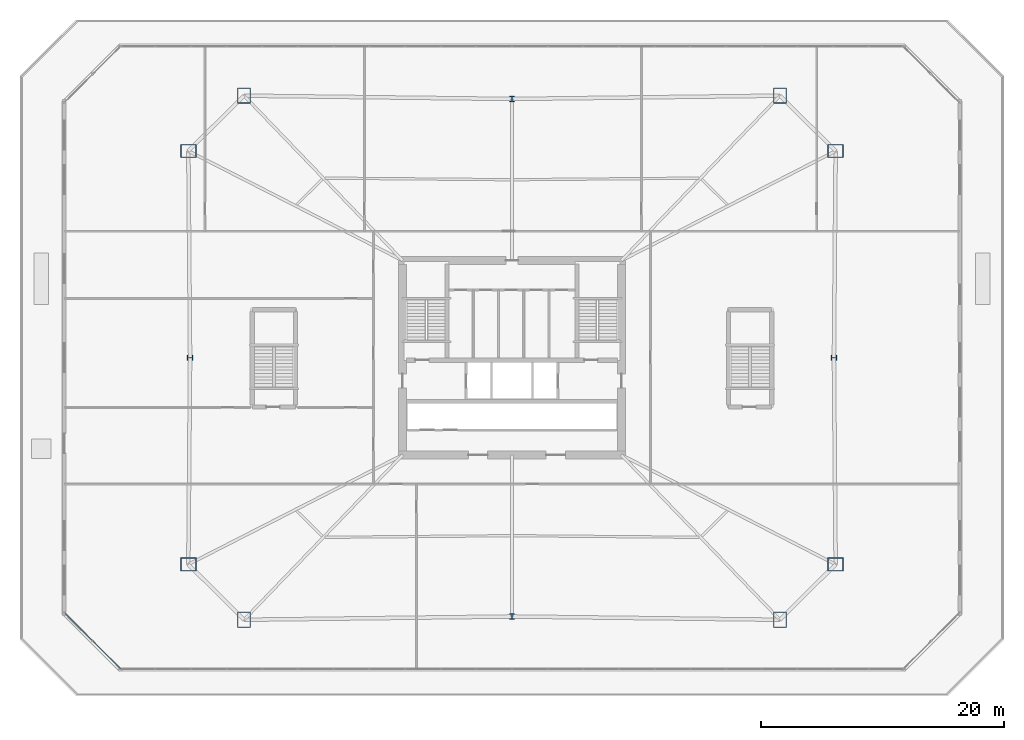
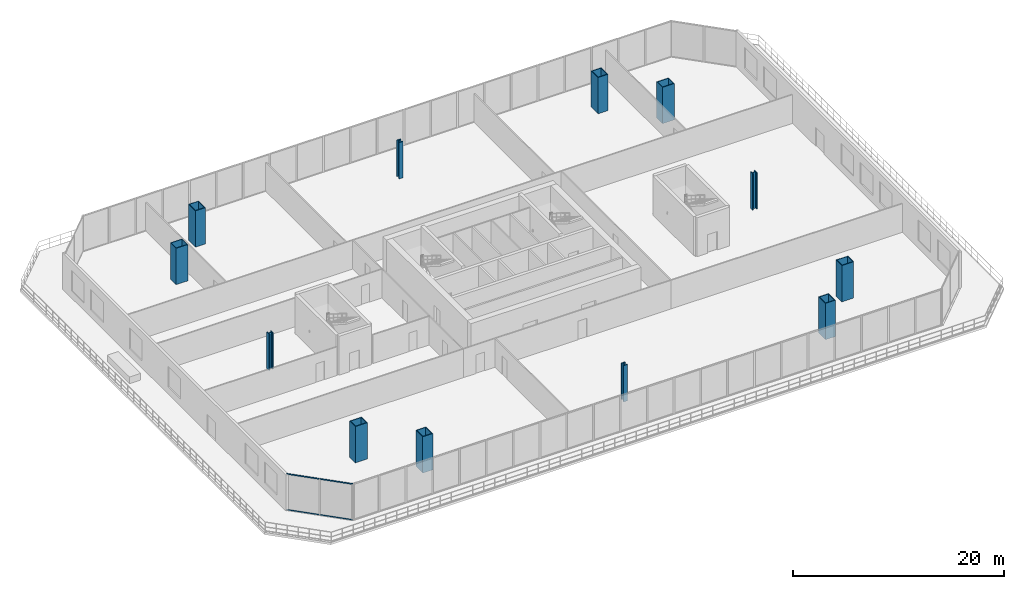
# One storey, part 1 of 31: 12 columns, 4 members, 1 element without a shape of its own.
"""IFC4 building model written with IfcOpenShell, lengths in metres."""

from ifc_helpers import new_model, si_unit, direction, frame, origin, origin_2d, place, context, subcontext, project, spatial, hollow_rectangle, i_section, extrude, material, layer, layer_set, material_profile, profile_set, type_object, element, aggregate, save


model = new_model("IFC4")

# Units and contexts
model_context = context("Model", 3, precision=1e-05, world=origin(), true_north=direction((0.0, 1.0)))
body_context = subcontext(model_context, "Body", "Model", "MODEL_VIEW")
ifc_project = project(units=[si_unit("LENGTHUNIT", "METRE"), si_unit("AREAUNIT", "SQUARE_METRE"), si_unit("VOLUMEUNIT", "CUBIC_METRE"), si_unit("PLANEANGLEUNIT", "RADIAN"), si_unit("MASSUNIT", "GRAM", prefix="KILO")], contexts=[model_context])

# Site, building, storey
site_placement = place(None, origin())
site = spatial("IfcSite", under=ifc_project, at=site_placement, CompositionType="ELEMENT")
building_placement = place(site_placement, origin())
building = spatial("IfcBuilding", under=site, at=building_placement, Name="Caelvoria Tower", CompositionType="ELEMENT")
storey_placement = place(building_placement, frame((0.0, 0.0, 9.5)))
storey = spatial("IfcBuildingStorey", under=building, at=storey_placement, Name="L02", CompositionType="ELEMENT", Elevation=9.5)

# Columns
ifc_material_1 = material(Name="Structural Steel ASTM A913 Gr.65", Category="steel")
ifc_material_profile_1 = material_profile(ifc_material_1, i_section(OverallWidth=0.43896484375, OverallDepth=0.513916015625, WebThickness=0.059814453125, FlangeThickness=0.096923828125, FilletRadius=0.02490234375, at=origin_2d()), Name="Structural Steel ASTM A913 Gr.65")
ifc_profile_set_1 = profile_set([ifc_material_profile_1], Name="W360X818 - Structural Steel ASTM A913 Gr.65")
column_type_1 = type_object("IfcColumnType", Name="Heavy Frame Column W360X818", PredefinedType="COLUMN", material=ifc_profile_set_1)
for number, where, z_axis, x_axis, name in (
    (1, (46.0, 10.699951171875, 0.0), (0.0, 0.0, 1.0), (1.0, 0.0, 0.0), "Perimeter Megaframe Column L02-P01"),
    (2, (72.5, 32.0, 0.0), (0.0, 0.0, 1.0), (0.0, 1.0, 0.0), "Perimeter Megaframe Column L02-P04"),
    (3, (46.0, 53.300048828125, 0.0), (0.0, 0.0, 1.0), (1.0, 0.0, 0.0), "Perimeter Megaframe Column L02-P07"),
    (4, (19.5, 32.0, 0.0), (0.0, 0.0, 1.0), (0.0, 1.0, 0.0), "Perimeter Megaframe Column L02-P10"),
):
    element("IfcColumn", number, at=place(storey_placement, frame(where, z_axis=z_axis, x_axis=x_axis)), inside=storey, type_object=column_type_1, Name=name, PredefinedType="COLUMN", context=body_context, shape_type="SweptSolid", body=[
        extrude(i_section(OverallWidth=0.43896484375, OverallDepth=0.513916015625, WebThickness=0.059814453125, FlangeThickness=0.096923828125, FilletRadius=0.02490234375, at=origin_2d()), origin(), (0.0, 0.0, 1.0), 4.2080078125),
    ])
ifc_material_2 = material(Name="Structural Steel ASTM A572 Gr.50", Category="steel")
ifc_material_profile_2 = material_profile(ifc_material_2, hollow_rectangle(XDim=1.10009765625, YDim=1.300048828125, WallThickness=0.070068359375, at=origin_2d()), Name="Structural Steel ASTM A572 Gr.50")
ifc_profile_set_2 = profile_set([ifc_material_profile_2], Name="BOX1300X1100X70 - Structural Steel ASTM A572 Gr.50")
column_type_2 = type_object("IfcColumnType", Name="Mega Box Column 1300x1100x70", PredefinedType="COLUMN", material=ifc_profile_set_2)
for number, where, z_axis, x_axis, name in (
    (5, (23.943359375, 10.42919921875, 0.0), (0.0, 0.0, 1.0), (1.0, 0.0, 0.0), "Perimeter Megaframe Column L02-P00"),
    (6, (68.056640625, 10.42919921875, 0.0), (0.0, 0.0, 1.0), (1.0, 0.0, 0.0), "Perimeter Megaframe Column L02-P02"),
    (7, (72.6416015625, 14.984375, 0.0), (0.0, 0.0, 1.0), (0.0, 1.0, 0.0), "Perimeter Megaframe Column L02-P03"),
    (8, (72.6416015625, 49.015625, 0.0), (0.0, 0.0, 1.0), (0.0, 1.0, 0.0), "Perimeter Megaframe Column L02-P05"),
    (9, (68.056640625, 53.57080078125, 0.0), (0.0, 0.0, 1.0), (1.0, 0.0, 0.0), "Perimeter Megaframe Column L02-P06"),
    (10, (23.943359375, 53.57080078125, 0.0), (0.0, 0.0, 1.0), (1.0, 0.0, 0.0), "Perimeter Megaframe Column L02-P08"),
    (11, (19.3583984375, 49.015625, 0.0), (0.0, 0.0, 1.0), (0.0, 1.0, 0.0), "Perimeter Megaframe Column L02-P09"),
    (12, (19.3583984375, 14.984375, 0.0), (0.0, 0.0, 1.0), (0.0, 1.0, 0.0), "Perimeter Megaframe Column L02-P11"),
):
    element("IfcColumn", number, at=place(storey_placement, frame(where, z_axis=z_axis, x_axis=x_axis)), inside=storey, type_object=column_type_2, Name=name, PredefinedType="COLUMN", context=body_context, shape_type="SweptSolid", body=[
        extrude(hollow_rectangle(XDim=1.10009765625, YDim=1.300048828125, WallThickness=0.070068359375, at=origin_2d()), origin(), (0.0, 0.0, 1.0), 4.2080078125),
    ])

# Curtain wall, members
ifc_material_3 = material(Name="Anodised Bronze Aluminium and Low-E Glass", Category="aluminium")
ifc_layer = layer(ifc_material_3, 0.199951171875, Name="Anodised Bronze Aluminium and Low-E Glass")
ifc_layer_set = layer_set([ifc_layer], Name="CW System 1 Podium Arcade Unitised Glazing - Anodised Bronze Aluminium and Low-E Glass")
curtain_wall_type = type_object("IfcCurtainWallType", Name="CW System 1 Podium Arcade Unitised Glazing", PredefinedType="NOTDEFINED", material=ifc_layer_set)
curtain_wall_placement = place(storey_placement, origin())
curtain_wall = element("IfcCurtainWall", 13, at=curtain_wall_placement, inside=storey, type_object=curtain_wall_type, Name="CW-01 Curtain Wall L02-E7", PredefinedType="NOTDEFINED")
ifc_material_4 = material(Name="Anodised Bronze Architectural Aluminium", Category="aluminium")
ifc_material_profile_3 = material_profile(ifc_material_4, hollow_rectangle(XDim=0.06494140625, YDim=0.1298828125, WallThickness=0.00341796875, at=origin_2d()), Name="Anodised Bronze Architectural Aluminium")
ifc_profile_set_3 = profile_set([ifc_material_profile_3], Name="CW_TRAN_65X130 - Anodised Bronze Architectural Aluminium")
member_type = type_object("IfcMemberType", Name="Curtain Wall Transom 65x130 Bronze Aluminium", PredefinedType="USERDEFINED", material=ifc_profile_set_3)
member_1_placement = place(storey_placement, frame((9.1767578125, 10.977783203125, 0.032470703125), z_axis=(0.707144708978, -0.707068851361, 0.0), x_axis=(0.707068851361, 0.707144708978, 0.0)))
member_1 = element("IfcMember", 14, at=member_1_placement, type_object=member_type, Name="CW-01 transom 1.1", ObjectType="TRANSOM", PredefinedType="USERDEFINED", context=body_context, shape_type="SweptSolid", body=[
    extrude(hollow_rectangle(XDim=0.06494140625, YDim=0.1298828125, WallThickness=0.00341796875, at=origin_2d()), origin(), (0.0, 0.0, 1.0), 3.218505859375),
])
member_2_placement = place(storey_placement, frame((9.1767578125, 10.977783203125, 4.177490234375), z_axis=(0.707144708978, -0.707068851361, 0.0), x_axis=(0.707068851361, 0.707144708978, 0.0)))
member_2 = element("IfcMember", 15, at=member_2_placement, type_object=member_type, Name="CW-01 transom 1.2", ObjectType="TRANSOM", PredefinedType="USERDEFINED", context=body_context, shape_type="SweptSolid", body=[
    extrude(hollow_rectangle(XDim=0.06494140625, YDim=0.1298828125, WallThickness=0.00341796875, at=origin_2d()), origin(), (0.0, 0.0, 1.0), 3.218505859375),
])
member_3_placement = place(storey_placement, frame((11.501953125, 8.652587890625, 0.032470703125), z_axis=(0.707106781187, -0.707106781187, 0.0), x_axis=(0.707106781187, 0.707106781187, 0.0)))
member_3 = element("IfcMember", 16, at=member_3_placement, type_object=member_type, Name="CW-01 transom 2.1", ObjectType="TRANSOM", PredefinedType="USERDEFINED", context=body_context, shape_type="SweptSolid", body=[
    extrude(hollow_rectangle(XDim=0.06494140625, YDim=0.1298828125, WallThickness=0.00341796875, at=origin_2d()), origin(), (0.0, 0.0, 1.0), 3.218505859375),
])
member_4_placement = place(storey_placement, frame((11.501953125, 8.652587890625, 4.177490234375), z_axis=(0.707106781187, -0.707106781187, 0.0), x_axis=(0.707106781187, 0.707106781187, 0.0)))
member_4 = element("IfcMember", 17, at=member_4_placement, type_object=member_type, Name="CW-01 transom 2.2", ObjectType="TRANSOM", PredefinedType="USERDEFINED", context=body_context, shape_type="SweptSolid", body=[
    extrude(hollow_rectangle(XDim=0.06494140625, YDim=0.1298828125, WallThickness=0.00341796875, at=origin_2d()), origin(), (0.0, 0.0, 1.0), 3.218505859375),
])
aggregate(curtain_wall, [member_1, member_2, member_3, member_4])

save(model, "model.ifc")
